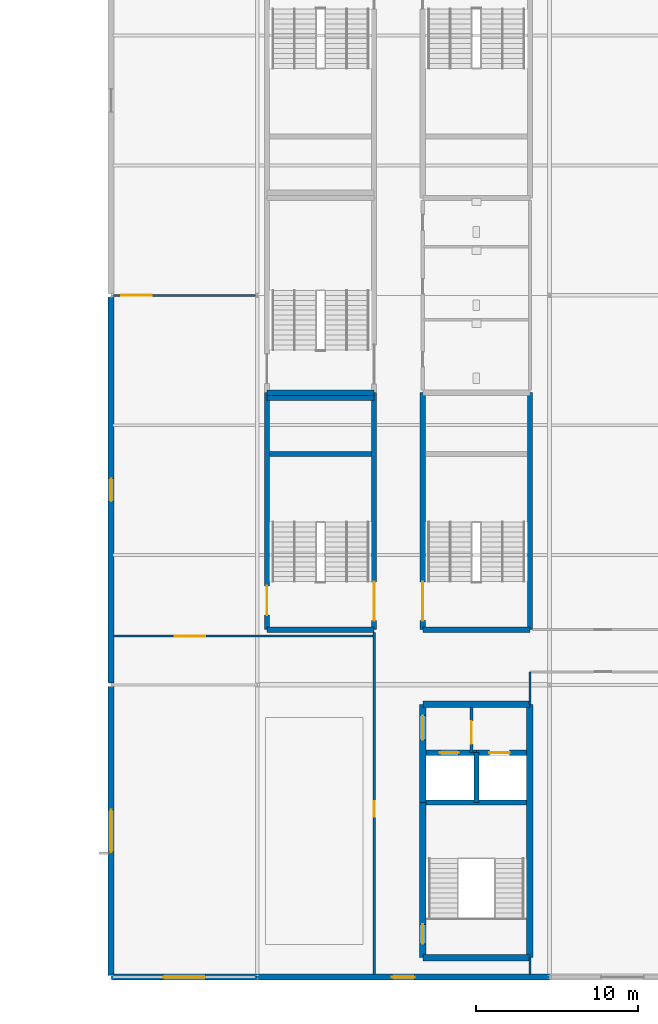
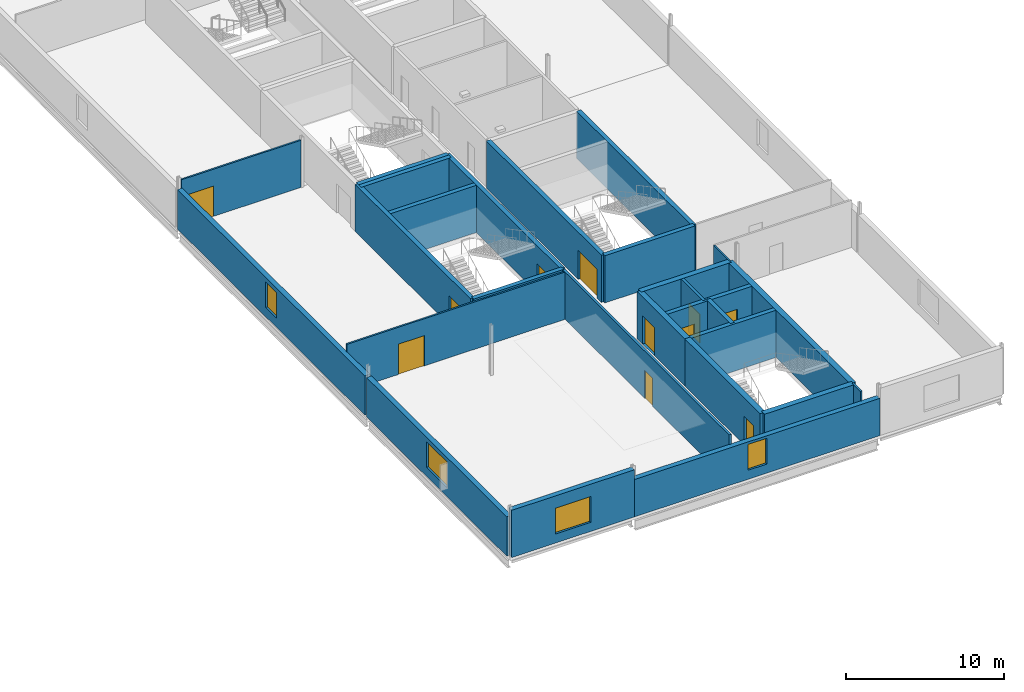
# One storey, part 22 of 35: 28 walls, 11 doors, 4 windows, 15 openings.
"""IFC4 building model written with IfcOpenShell, lengths in metres."""

from ifc_helpers import new_model, si_unit, direction, frame, frame_2d, origin, place, context, subcontext, project, spatial, rectangle, extrude, material, layer, layer_set, type_object, element, fill, save


model = new_model("IFC4")

# Units and contexts
model_context = context("Model", 3, precision=1e-05, world=origin(), true_north=direction((0.0, 1.0)))
body_context = subcontext(model_context, "Body", "Model", "MODEL_VIEW")
ifc_project = project(units=[si_unit("LENGTHUNIT", "METRE"), si_unit("AREAUNIT", "SQUARE_METRE"), si_unit("VOLUMEUNIT", "CUBIC_METRE"), si_unit("PLANEANGLEUNIT", "RADIAN"), si_unit("MASSUNIT", "GRAM", prefix="KILO")], contexts=[model_context])

# Site, building, storey
site_placement = place(None, origin())
site = spatial("IfcSite", under=ifc_project, at=site_placement, CompositionType="ELEMENT")
building_placement = place(site_placement, origin())
building = spatial("IfcBuilding", under=site, at=building_placement, Name="Kisiwana Market Hall", CompositionType="ELEMENT")
storey_placement = place(building_placement, frame((0.0, 0.0, 57.89990234375)))
storey = spatial("IfcBuildingStorey", under=building, at=storey_placement, Name="L13", CompositionType="ELEMENT", Elevation=57.89990234375)

# Wall, opening, door
ifc_material_1 = material(Name="Masonry blockwork", Category="masonry")
ifc_layer_1 = layer(ifc_material_1, 0.199951171875, Name="Plastered fire compartment block wall")
ifc_layer_set_1 = layer_set([ifc_layer_1], Name="WL-COMP-200")
wall_type_1 = type_object("IfcWallType", Name="WL-COMP-200", PredefinedType="PARTITIONING", material=ifc_layer_set_1)
wall_1_placement = place(storey_placement, frame((184.199951171875, 31.820068359375, 0.0), z_axis=(0.0, 0.0, 1.0), x_axis=(0.0, 1.0, 0.0)))
wall_1 = element("IfcWall", 1, at=wall_1_placement, inside=storey, type_object=wall_type_1, Name="Core E2 firefighting lobby wall W-3163", PredefinedType="PARTITIONING", context=body_context, shape_type="SweptSolid", body=[
    extrude(rectangle(XDim=2.780029296875, YDim=0.199951171875, at=frame_2d((1.39013671875, 0.0))), origin(), (0.0, 0.0, 1.0), 3.655029296875),
])
opening_1_placement = place(wall_1_placement, frame((0.550048828125, 0.0, 0.0)))
opening_1 = element("IfcOpeningElement", 2, at=opening_1_placement, cuts=wall_1, Name="Opening DR-L13-009", PredefinedType="OPENING", context=body_context, shape_type="SweptSolid", body=[
    extrude(rectangle(XDim=1.39990234375, YDim=2.25, at=frame_2d((0.699951171875, 1.125))), frame((0.0, 0.11181640625, 0.0), z_axis=(0.0, -1.0, 0.0), x_axis=(1.0, 0.0, 0.0)), (0.0, 0.0, 1.0), 0.223876953125),
])
ifc_material_2 = material(Name="Steel S275", Category="steel")
door_type_1 = type_object("IfcDoorType", Name="DR-FFLOB-FD120-1400", OperationType="DOUBLE_DOOR_SINGLE_SWING", PredefinedType="DOOR", material=ifc_material_2)
door_1_placement = place(opening_1_placement, origin())
door_1 = element("IfcDoor", 3, at=door_1_placement, inside=storey, type_object=door_type_1, Name="Firefighting Lift Lobby E2 Door (L13)", OperationType="DOUBLE_DOOR_SINGLE_SWING", OverallHeight=2.25, OverallWidth=1.39990234375, PredefinedType="DOOR", context=body_context, shape_type="SweptSolid", body=[
    extrude(rectangle(XDim=1.39990234375, YDim=2.25, at=frame_2d((0.699951171875, 1.125))), frame((0.0, 0.02490234375, 0.0), z_axis=(0.0, -1.0, 0.0), x_axis=(1.0, 0.0, 0.0)), (0.0, 0.0, 1.0), 0.050048828125),
])
fill(opening_1, door_1)

# Walls
ifc_material_3 = material(Name="Concrete C40/50", Category="concrete")
ifc_layer_2 = layer(ifc_material_3, 0.320068359375, Name="Reinforced concrete shaft wall")
ifc_layer_set_2 = layer_set([ifc_layer_2], Name="WL-CORE-320")
wall_type_2 = type_object("IfcWallType", Name="WL-CORE-320", PredefinedType="SHEAR", material=ifc_layer_set_2)
wall_2_placement = place(storey_placement, frame((181.39990234375, 28.760009765625, 0.0), z_axis=(0.0, 0.0, 1.0), x_axis=(1.0, 0.0, 0.0)))
element("IfcWall", 4, at=wall_2_placement, inside=storey, type_object=wall_type_2, Name="Core E2 shaft back shear wall W-3072", PredefinedType="SHEAR", context=body_context, shape_type="SweptSolid", body=[
    extrude(rectangle(XDim=6.2001953125, YDim=0.320068359375, at=frame_2d((3.10009765625, 0.0))), origin(), (0.0, 0.0, 1.0), 3.655029296875),
])
wall_3_placement = place(storey_placement, frame((184.5, 28.760009765625, 0.0), z_axis=(0.0, 0.0, 1.0), x_axis=(0.0, 1.0, 0.0)))
element("IfcWall", 5, at=wall_3_placement, inside=storey, type_object=wall_type_2, Name="Core E2 inter-shaft shear wall W-3073", PredefinedType="SHEAR", context=body_context, shape_type="SweptSolid", body=[
    extrude(rectangle(XDim=3.06005859375, YDim=0.320068359375, at=frame_2d((1.530029296875, 0.0))), origin(), (0.0, 0.0, 1.0), 3.655029296875),
])

# Wall, opening, door
wall_4_placement = place(storey_placement, frame((181.39990234375, 31.820068359375, 0.0), z_axis=(0.0, 0.0, 1.0), x_axis=(1.0, 0.0, 0.0)))
wall_4 = element("IfcWall", 6, at=wall_4_placement, inside=storey, type_object=wall_type_2, Name="Core E2 west lift front wall W-3074", PredefinedType="SHEAR", context=body_context, shape_type="SweptSolid", body=[
    extrude(rectangle(XDim=3.10009765625, YDim=0.320068359375, at=frame_2d((1.550048828125, 0.0))), origin(), (0.0, 0.0, 1.0), 3.655029296875),
])
opening_2_placement = place(wall_4_placement, frame((0.85009765625, 0.0, 0.0)))
opening_2 = element("IfcOpeningElement", 7, at=opening_2_placement, cuts=wall_4, Name="Opening LD-L13-005", PredefinedType="OPENING", context=body_context, shape_type="SweptSolid", body=[
    extrude(rectangle(XDim=1.14990234375, YDim=2.199951171875, at=frame_2d((0.574951171875, 1.10009765625))), frame((0.0, 0.171875, 0.0), z_axis=(0.0, -1.0, 0.0), x_axis=(1.0, 0.0, 0.0)), (0.0, 0.0, 1.0), 0.343994140625),
])
ifc_material_4 = material(Name="Steel S275", Category="steel")
door_type_2 = type_object("IfcDoorType", Name="DR-LIFT-PAX-1150", OperationType="DOUBLE_DOOR_SLIDING", PredefinedType="DOOR", material=ifc_material_4)
door_2_placement = place(opening_2_placement, origin())
door_2 = element("IfcDoor", 8, at=door_2_placement, inside=storey, type_object=door_type_2, Name="Lift Landing Door LP-03 (L13)", OperationType="DOUBLE_DOOR_SLIDING", OverallHeight=2.199951171875, OverallWidth=1.14990234375, PredefinedType="DOOR", context=body_context, shape_type="SweptSolid", body=[
    extrude(rectangle(XDim=1.14990234375, YDim=2.199951171875, at=frame_2d((0.574951171875, 1.10009765625))), frame((0.0, 0.02490234375, 0.0), z_axis=(0.0, -1.0, 0.0), x_axis=(1.0, 0.0, 0.0)), (0.0, 0.0, 1.0), 0.050048828125),
])
fill(opening_2, door_2)

wall_5_placement = place(storey_placement, frame((184.5, 31.820068359375, 0.0), z_axis=(0.0, 0.0, 1.0), x_axis=(1.0, 0.0, 0.0)))
wall_5 = element("IfcWall", 9, at=wall_5_placement, inside=storey, type_object=wall_type_2, Name="Core E2 east lift front wall W-3075", PredefinedType="SHEAR", context=body_context, shape_type="SweptSolid", body=[
    extrude(rectangle(XDim=3.10009765625, YDim=0.320068359375, at=frame_2d((1.550048828125, 0.0))), origin(), (0.0, 0.0, 1.0), 3.655029296875),
])
opening_3_placement = place(wall_5_placement, frame((0.800048828125, 0.0, 0.0)))
opening_3 = element("IfcOpeningElement", 10, at=opening_3_placement, cuts=wall_5, Name="Opening LD-L13-006", PredefinedType="OPENING", context=body_context, shape_type="SweptSolid", body=[
    extrude(rectangle(XDim=1.25, YDim=2.25, at=frame_2d((0.625, 1.125))), frame((0.0, 0.171875, 0.0), z_axis=(0.0, -1.0, 0.0), x_axis=(1.0, 0.0, 0.0)), (0.0, 0.0, 1.0), 0.343994140625),
])
ifc_material_5 = material(Name="Steel S275", Category="steel")
door_type_3 = type_object("IfcDoorType", Name="DR-LIFT-FFL-1250", OperationType="DOUBLE_DOOR_SLIDING", PredefinedType="DOOR", material=ifc_material_5)
door_3_placement = place(opening_3_placement, origin())
door_3 = element("IfcDoor", 11, at=door_3_placement, inside=storey, type_object=door_type_3, Name="Lift Landing Door FFL-03 (L13)", OperationType="DOUBLE_DOOR_SLIDING", OverallHeight=2.25, OverallWidth=1.25, PredefinedType="DOOR", context=body_context, shape_type="SweptSolid", body=[
    extrude(rectangle(XDim=1.25, YDim=2.25, at=frame_2d((0.625, 1.125))), frame((0.0, 0.02490234375, 0.0), z_axis=(0.0, -1.0, 0.0), x_axis=(1.0, 0.0, 0.0)), (0.0, 0.0, 1.0), 0.050048828125),
])
fill(opening_3, door_3)

# Wall
wall_6_placement = place(storey_placement, frame((181.199951171875, 39.39990234375, 0.0), z_axis=(0.0, 0.0, 1.0), x_axis=(1.0, 0.0, 0.0)))
element("IfcWall", 12, at=wall_6_placement, inside=storey, type_object=wall_type_2, Name="Core E3 south shear wall W-3095", PredefinedType="SHEAR", context=body_context, shape_type="SweptSolid", body=[
    extrude(rectangle(XDim=6.60009765625, YDim=0.320068359375, at=frame_2d((3.300048828125, 0.0))), origin(), (0.0, 0.0, 1.0), 3.655029296875),
])

# Wall, opening, door
wall_7_placement = place(storey_placement, frame((181.199951171875, 39.39990234375, 0.0), z_axis=(0.0, 0.0, 1.0), x_axis=(0.0, 1.0, 0.0)))
wall_7 = element("IfcWall", 13, at=wall_7_placement, inside=storey, type_object=wall_type_2, Name="Core E3 corridor shear wall W-3097", PredefinedType="SHEAR", context=body_context, shape_type="SweptSolid", body=[
    extrude(rectangle(XDim=14.60009765625, YDim=0.320068359375, at=frame_2d((7.300048828125, 0.0))), origin(), (0.0, 0.0, 1.0), 3.655029296875),
])
opening_4_placement = place(wall_7_placement, frame((0.550048828125, 0.0, 0.0)))
opening_4 = element("IfcOpeningElement", 14, at=opening_4_placement, cuts=wall_7, Name="Opening DR-L13-015", PredefinedType="OPENING", context=body_context, shape_type="SweptSolid", body=[
    extrude(rectangle(XDim=2.39990234375, YDim=2.25, at=frame_2d((1.199951171875, 1.125))), frame((0.0, 0.171875, 0.0), z_axis=(0.0, -1.0, 0.0), x_axis=(1.0, 0.0, 0.0)), (0.0, 0.0, 1.0), 0.343994140625),
])
ifc_material_6 = material(Name="Steel S275", Category="steel")
door_type_4 = type_object("IfcDoorType", Name="DR-STAIR-FD120-2400", OperationType="DOUBLE_DOOR_SINGLE_SWING", PredefinedType="DOOR", material=ifc_material_6)
door_4_placement = place(opening_4_placement, frame((2.39990234375, 0.0, 0.0), z_axis=(0.0, 0.0, 1.0), x_axis=(-1.0, 0.0, 0.0)))
door_4 = element("IfcDoor", 15, at=door_4_placement, inside=storey, type_object=door_type_4, Name="Escape Stair E3 Fire Door (L13)", OperationType="DOUBLE_DOOR_SINGLE_SWING", OverallHeight=2.25, OverallWidth=2.39990234375, PredefinedType="DOOR", context=body_context, shape_type="SweptSolid", body=[
    extrude(rectangle(XDim=2.39990234375, YDim=2.25, at=frame_2d((1.199951171875, 1.125))), frame((0.0, 0.02490234375, 0.0), z_axis=(0.0, -1.0, 0.0), x_axis=(1.0, 0.0, 0.0)), (0.0, 0.0, 1.0), 0.050048828125),
])
fill(opening_4, door_4)

# Walls
wall_8_placement = place(storey_placement, frame((187.800048828125, 39.39990234375, 0.0), z_axis=(0.0, 0.0, 1.0), x_axis=(0.0, 1.0, 0.0)))
element("IfcWall", 16, at=wall_8_placement, inside=storey, type_object=wall_type_2, Name="Core E3 outer shear wall W-3098", PredefinedType="SHEAR", context=body_context, shape_type="SweptSolid", body=[
    extrude(rectangle(XDim=14.60009765625, YDim=0.320068359375, at=frame_2d((7.300048828125, 0.0))), origin(), (0.0, 0.0, 1.0), 3.655029296875),
])
for number, where, z_axis, x_axis, name in (
    (17, (171.60009765625, 39.39990234375, 0.0), (0.0, 0.0, 1.0), (1.0, 0.0, 0.0), "Core E7 south shear wall W-3110"),
    (18, (171.60009765625, 54.0, 0.0), (0.0, 0.0, 1.0), (1.0, 0.0, 0.0), "Core E7 north shear wall W-3111"),
):
    element("IfcWall", number, at=place(storey_placement, frame(where, z_axis=z_axis, x_axis=x_axis)), inside=storey, type_object=wall_type_2, Name=name, PredefinedType="SHEAR", context=body_context, shape_type="SweptSolid", body=[
        extrude(rectangle(XDim=6.599853515625, YDim=0.320068359375, at=frame_2d((3.2998046875, 0.0))), origin(), (0.0, 0.0, 1.0), 3.655029296875),
    ])

# Wall, opening, door
wall_9_placement = place(storey_placement, frame((171.60009765625, 39.39990234375, 0.0), z_axis=(0.0, 0.0, 1.0), x_axis=(0.0, 1.0, 0.0)))
wall_9 = element("IfcWall", 19, at=wall_9_placement, inside=storey, type_object=wall_type_2, Name="Core E7 outer shear wall W-3112", PredefinedType="SHEAR", context=body_context, shape_type="SweptSolid", body=[
    extrude(rectangle(XDim=14.60009765625, YDim=0.320068359375, at=frame_2d((7.300048828125, 0.0))), origin(), (0.0, 0.0, 1.0), 3.655029296875),
])
opening_5_placement = place(wall_9_placement, frame((0.89990234375, 0.0, 0.0)))
opening_5 = element("IfcOpeningElement", 20, at=opening_5_placement, cuts=wall_9, Name="Opening DR-L13-020", PredefinedType="OPENING", context=body_context, shape_type="SweptSolid", body=[
    extrude(rectangle(XDim=1.800048828125, YDim=2.25, at=frame_2d((0.89990234375, 1.125))), frame((0.0, 0.171875, 0.0), z_axis=(0.0, -1.0, 0.0), x_axis=(1.0, 0.0, 0.0)), (0.0, 0.0, 1.0), 0.343994140625),
])
ifc_material_7 = material(Name="Steel S275", Category="steel")
door_type_5 = type_object("IfcDoorType", Name="DR-STAIR-FD120-1800", OperationType="DOUBLE_DOOR_SINGLE_SWING", PredefinedType="DOOR", material=ifc_material_7)
door_5_placement = place(opening_5_placement, frame((1.800048828125, 0.0, 0.0), z_axis=(0.0, 0.0, 1.0), x_axis=(-1.0, 0.0, 0.0)))
door_5 = element("IfcDoor", 21, at=door_5_placement, inside=storey, type_object=door_type_5, Name="Escape Stair E7 Room Door (L13)", OperationType="DOUBLE_DOOR_SINGLE_SWING", OverallHeight=2.25, OverallWidth=1.800048828125, PredefinedType="DOOR", context=body_context, shape_type="SweptSolid", body=[
    extrude(rectangle(XDim=1.800048828125, YDim=2.25, at=frame_2d((0.89990234375, 1.125))), frame((0.0, 0.02490234375, 0.0), z_axis=(0.0, -1.0, 0.0), x_axis=(1.0, 0.0, 0.0)), (0.0, 0.0, 1.0), 0.050048828125),
])
fill(opening_5, door_5)

wall_10_placement = place(storey_placement, frame((178.199951171875, 39.39990234375, 0.0), z_axis=(0.0, 0.0, 1.0), x_axis=(0.0, 1.0, 0.0)))
wall_10 = element("IfcWall", 22, at=wall_10_placement, inside=storey, type_object=wall_type_2, Name="Core E7 corridor shear wall W-3113", PredefinedType="SHEAR", context=body_context, shape_type="SweptSolid", body=[
    extrude(rectangle(XDim=14.60009765625, YDim=0.320068359375, at=frame_2d((7.300048828125, 0.0))), origin(), (0.0, 0.0, 1.0), 3.655029296875),
])
opening_6_placement = place(wall_10_placement, frame((0.550048828125, 0.0, 0.0)))
opening_6 = element("IfcOpeningElement", 23, at=opening_6_placement, cuts=wall_10, Name="Opening DR-L13-019", PredefinedType="OPENING", context=body_context, shape_type="SweptSolid", body=[
    extrude(rectangle(XDim=2.39990234375, YDim=2.25, at=frame_2d((1.199951171875, 1.125))), frame((0.0, 0.171875, 0.0), z_axis=(0.0, -1.0, 0.0), x_axis=(1.0, 0.0, 0.0)), (0.0, 0.0, 1.0), 0.343994140625),
])
door_6_placement = place(opening_6_placement, origin())
door_6 = element("IfcDoor", 24, at=door_6_placement, inside=storey, type_object=door_type_4, Name="Escape Stair E7 Fire Door (L13)", OperationType="DOUBLE_DOOR_SINGLE_SWING", OverallHeight=2.25, OverallWidth=2.39990234375, PredefinedType="DOOR", context=body_context, shape_type="SweptSolid", body=[
    extrude(rectangle(XDim=2.39990234375, YDim=2.25, at=frame_2d((1.199951171875, 1.125))), frame((0.0, 0.02490234375, 0.0), z_axis=(0.0, -1.0, 0.0), x_axis=(1.0, 0.0, 0.0)), (0.0, 0.0, 1.0), 0.050048828125),
])
fill(opening_6, door_6)

# Walls
wall_11_placement = place(storey_placement, frame((171.760009765625, 50.219970703125, 0.0), z_axis=(0.0, 0.0, 1.0), x_axis=(1.0, 0.0, 0.0)))
element("IfcWall", 25, at=wall_11_placement, inside=storey, type_object=wall_type_2, Name="Core E7 riser divider shear wall W-3114", PredefinedType="SHEAR", context=body_context, shape_type="SweptSolid", body=[
    extrude(rectangle(XDim=6.280029296875, YDim=0.320068359375, at=frame_2d((3.14013671875, 0.0))), origin(), (0.0, 0.0, 1.0), 3.655029296875),
])
wall_12_placement = place(storey_placement, frame((171.60009765625, 53.679931640625, 0.0), z_axis=(0.0, 0.0, 1.0), x_axis=(1.0, 0.0, 0.0)))
element("IfcWall", 26, at=wall_12_placement, inside=storey, type_object=wall_type_2, Name="Core E5 south shear wall W-3129", PredefinedType="SHEAR", context=body_context, shape_type="SweptSolid", body=[
    extrude(rectangle(XDim=6.599853515625, YDim=0.320068359375, at=frame_2d((3.2998046875, 0.0))), origin(), (0.0, 0.0, 1.0), 3.655029296875),
])
ifc_material_8 = material(Name="Concrete C40/50", Category="concrete")
ifc_layer_3 = layer(ifc_material_8, 0.39990234375, Name="Reinforced concrete core wall")
ifc_layer_set_3 = layer_set([ifc_layer_3], Name="WL-CORE-400")
wall_type_3 = type_object("IfcWallType", Name="WL-CORE-400", PredefinedType="SHEAR", material=ifc_layer_set_3)
for number, where, z_axis, x_axis, name in (
    (27, (181.199951171875, 19.199951171875, 0.0), (0.0, 0.0, 1.0), (1.0, 0.0, 0.0), "Core E2 south shear wall W-3067"),
    (28, (181.199951171875, 34.800048828125, 0.0), (0.0, 0.0, 1.0), (1.0, 0.0, 0.0), "Core E2 north shear wall W-3068"),
):
    element("IfcWall", number, at=place(storey_placement, frame(where, z_axis=z_axis, x_axis=x_axis)), inside=storey, type_object=wall_type_3, Name=name, PredefinedType="SHEAR", context=body_context, shape_type="SweptSolid", body=[
        extrude(rectangle(XDim=6.60009765625, YDim=0.39990234375, at=frame_2d((3.300048828125, 0.0))), origin(), (0.0, 0.0, 1.0), 3.655029296875),
    ])
wall_13_placement = place(storey_placement, frame((187.800048828125, 19.199951171875, 0.0), z_axis=(0.0, 0.0, 1.0), x_axis=(0.0, 1.0, 0.0)))
element("IfcWall", 29, at=wall_13_placement, inside=storey, type_object=wall_type_3, Name="Core E2 outer shear wall W-3069", PredefinedType="SHEAR", context=body_context, shape_type="SweptSolid", body=[
    extrude(rectangle(XDim=15.60009765625, YDim=0.39990234375, at=frame_2d((7.800048828125, 0.0))), origin(), (0.0, 0.0, 1.0), 3.655029296875),
])

# Wall, opening, door
wall_14_placement = place(storey_placement, frame((181.199951171875, 19.199951171875, 0.0), z_axis=(0.0, 0.0, 1.0), x_axis=(0.0, 1.0, 0.0)))
wall_14 = element("IfcWall", 30, at=wall_14_placement, inside=storey, type_object=wall_type_3, Name="Core E2 stair corridor shear wall W-3070", PredefinedType="SHEAR", context=body_context, shape_type="SweptSolid", body=[
    extrude(rectangle(XDim=9.56005859375, YDim=0.39990234375, at=frame_2d((4.780029296875, 0.0))), origin(), (0.0, 0.0, 1.0), 3.655029296875),
])
opening_7_placement = place(wall_14_placement, frame((0.85009765625, 0.0, 0.0)))
opening_7 = element("IfcOpeningElement", 31, at=opening_7_placement, cuts=wall_14, Name="Opening DR-L13-007", PredefinedType="OPENING", context=body_context, shape_type="SweptSolid", body=[
    extrude(rectangle(XDim=1.199951171875, YDim=2.199951171875, at=frame_2d((0.60009765625, 1.10009765625))), frame((0.0, 0.2119140625, 0.0), z_axis=(0.0, -1.0, 0.0), x_axis=(1.0, 0.0, 0.0)), (0.0, 0.0, 1.0), 0.423828125),
])
ifc_material_9 = material(Name="Steel S275", Category="steel")
door_type_6 = type_object("IfcDoorType", Name="DR-STAIR-FD120-1200", OperationType="NOTDEFINED", PredefinedType="DOOR", material=ifc_material_9)
door_7_placement = place(opening_7_placement, frame((1.199951171875, 0.0, 0.0), z_axis=(0.0, 0.0, 1.0), x_axis=(-1.0, 0.0, 0.0)))
door_7 = element("IfcDoor", 32, at=door_7_placement, inside=storey, type_object=door_type_6, Name="Escape Stair E2 Fire Door (L13)", OperationType="SINGLE_SWING_RIGHT", OverallHeight=2.199951171875, OverallWidth=1.199951171875, PredefinedType="DOOR", context=body_context, shape_type="SweptSolid", body=[
    extrude(rectangle(XDim=1.199951171875, YDim=2.199951171875, at=frame_2d((0.60009765625, 1.10009765625))), frame((0.0, 0.02490234375, 0.0), z_axis=(0.0, -1.0, 0.0), x_axis=(1.0, 0.0, 0.0)), (0.0, 0.0, 1.0), 0.050048828125),
])
fill(opening_7, door_7)

wall_15_placement = place(storey_placement, frame((181.199951171875, 28.760009765625, 0.0), z_axis=(0.0, 0.0, 1.0), x_axis=(0.0, 1.0, 0.0)))
wall_15 = element("IfcWall", 33, at=wall_15_placement, inside=storey, type_object=wall_type_3, Name="Core E2 lobby corridor shear wall W-3071", PredefinedType="SHEAR", context=body_context, shape_type="SweptSolid", body=[
    extrude(rectangle(XDim=6.0400390625, YDim=0.39990234375, at=frame_2d((3.02001953125, 0.0))), origin(), (0.0, 0.0, 1.0), 3.655029296875),
])
opening_8_placement = place(wall_15_placement, frame((3.85009765625, 0.0, 0.0)))
opening_8 = element("IfcOpeningElement", 34, at=opening_8_placement, cuts=wall_15, Name="Opening DR-L13-008", PredefinedType="OPENING", context=body_context, shape_type="SweptSolid", body=[
    extrude(rectangle(XDim=1.5, YDim=2.199951171875, at=frame_2d((0.75, 1.10009765625))), frame((0.0, 0.2119140625, 0.0), z_axis=(0.0, -1.0, 0.0), x_axis=(1.0, 0.0, 0.0)), (0.0, 0.0, 1.0), 0.423828125),
])
ifc_material_10 = material(Name="Steel S275", Category="steel")
door_type_7 = type_object("IfcDoorType", Name="DR-CORR-FD60-1500", OperationType="DOUBLE_DOOR_SINGLE_SWING", PredefinedType="DOOR", material=ifc_material_10)
door_8_placement = place(opening_8_placement, origin())
door_8 = element("IfcDoor", 35, at=door_8_placement, inside=storey, type_object=door_type_7, Name="Passenger Lift Lobby E2 Smoke Door (L13)", OperationType="DOUBLE_DOOR_SINGLE_SWING", OverallHeight=2.199951171875, OverallWidth=1.5, PredefinedType="DOOR", context=body_context, shape_type="SweptSolid", body=[
    extrude(rectangle(XDim=1.5, YDim=2.199951171875, at=frame_2d((0.75, 1.10009765625))), frame((0.0, 0.02490234375, 0.0), z_axis=(0.0, -1.0, 0.0), x_axis=(1.0, 0.0, 0.0)), (0.0, 0.0, 1.0), 0.050048828125),
])
fill(opening_8, door_8)

ifc_material_11 = material(Name="Masonry blockwork", Category="masonry")
ifc_layer_4 = layer(ifc_material_11, 0.169921875, Name="Protected corridor partition")
ifc_layer_set_4 = layer_set([ifc_layer_4], Name="WL-CORR-170")
wall_type_4 = type_object("IfcWallType", Name="WL-CORR-170", PredefinedType="PARTITIONING", material=ifc_layer_set_4)
wall_16_placement = place(storey_placement, frame((178.199951171875, 18.157470703125, 0.0), z_axis=(0.0, 0.0, 1.0), x_axis=(0.0, 1.0, 0.0)))
wall_16 = element("IfcWall", 36, at=wall_16_placement, inside=storey, type_object=wall_type_4, Name="Interior partition W-3197", PredefinedType="PARTITIONING", context=body_context, shape_type="SweptSolid", body=[
    extrude(rectangle(XDim=21.08251953125, YDim=0.169921875, at=frame_2d((10.541259765625, 0.0))), origin(), (0.0, 0.0, 1.0), 3.655029296875),
])
opening_9_placement = place(wall_16_placement, frame((9.702880859375, 0.0, 0.0)))
opening_9 = element("IfcOpeningElement", 37, at=opening_9_placement, cuts=wall_16, Name="Opening DR-L13-047", PredefinedType="OPENING", context=body_context, shape_type="SweptSolid", body=[
    extrude(rectangle(XDim=0.97998046875, YDim=2.14990234375, at=frame_2d((0.489990234375, 1.074951171875))), frame((0.0, 0.096923828125, 0.0), z_axis=(0.0, -1.0, 0.0), x_axis=(1.0, 0.0, 0.0)), (0.0, 0.0, 1.0), 0.19384765625),
])
ifc_material_12 = material(Name="Hardwood timber", Category="wood")
door_type_8 = type_object("IfcDoorType", Name="DR-STOR-FD60-0980", OperationType="NOTDEFINED", PredefinedType="DOOR", material=ifc_material_12)
door_9_placement = place(opening_9_placement, origin())
door_9 = element("IfcDoor", 38, at=door_9_placement, inside=storey, type_object=door_type_8, Name="L13 E Executive Office C1 Door", OperationType="SINGLE_SWING_LEFT", OverallHeight=2.14990234375, OverallWidth=0.97998046875, PredefinedType="DOOR", context=body_context, shape_type="SweptSolid", body=[
    extrude(rectangle(XDim=0.97998046875, YDim=2.14990234375, at=frame_2d((0.489990234375, 1.074951171875))), frame((0.0, 0.02490234375, 0.0), z_axis=(0.0, -1.0, 0.0), x_axis=(1.0, 0.0, 0.0)), (0.0, 0.0, 1.0), 0.050048828125),
])
fill(opening_9, door_9)

# Wall, opening, window
ifc_material_13 = material(Name="Concrete C40/50 precast", Category="concrete")
ifc_layer_5 = layer(ifc_material_13, 0.364990234375)
ifc_layer_set_5 = layer_set([ifc_layer_5], Name="WL-EXT-365")
wall_type_5 = type_object("IfcWallType", Name="WL-EXT-365", PredefinedType="STANDARD", material=ifc_layer_set_5)
wall_17_placement = place(storey_placement, frame((162.010009765625, 18.0, 0.0), z_axis=(0.0, 0.0, 1.0), x_axis=(1.0, 0.0, 0.0)))
wall_17 = element("IfcWall", 39, at=wall_17_placement, inside=storey, type_object=wall_type_5, Name="Exterior wall W-3136", PredefinedType="STANDARD", context=body_context, shape_type="SweptSolid", body=[
    extrude(rectangle(XDim=8.97998046875, YDim=0.364990234375, at=frame_2d((4.489990234375, 0.0))), origin(), (0.0, 0.0, 1.0), 3.655029296875),
])
opening_10_placement = place(wall_17_placement, frame((3.18994140625, 0.0, 0.699951171875)))
opening_10 = element("IfcOpeningElement", 40, at=opening_10_placement, cuts=wall_17, Name="Opening WN-13", PredefinedType="OPENING", context=body_context, shape_type="SweptSolid", body=[
    extrude(rectangle(XDim=2.60009765625, YDim=2.0, at=frame_2d((1.300048828125, 1.0))), frame((0.0, 0.1943359375, 0.0), z_axis=(0.0, -1.0, 0.0), x_axis=(1.0, 0.0, 0.0)), (0.0, 0.0, 1.0), 0.388916015625),
])
ifc_material_14 = material(Name="Double-glazed solar-control low-E IGU", Category="glass")
window_type_1 = type_object("IfcWindowType", Name="WN-OFFC-2600x2000", PartitioningType="SINGLE_PANEL", PredefinedType="WINDOW", material=ifc_material_14)
window_1_placement = place(opening_10_placement, origin())
window_1 = element("IfcWindow", 41, at=window_1_placement, inside=storey, type_object=window_type_1, Name="Exterior window WN-368", OverallHeight=2.0, OverallWidth=2.60009765625, PartitioningType="SINGLE_PANEL", PredefinedType="WINDOW", context=body_context, shape_type="SweptSolid", body=[
    extrude(rectangle(XDim=2.60009765625, YDim=2.0, at=frame_2d((1.300048828125, 1.0))), frame((0.0, 0.030029296875, 0.0), z_axis=(0.0, -1.0, 0.0), x_axis=(1.0, 0.0, 0.0)), (0.0, 0.0, 1.0), 0.06005859375),
])
fill(opening_10, window_1)

wall_18_placement = place(storey_placement, frame((171.010009765625, 18.0, 0.0), z_axis=(0.0, 0.0, 1.0), x_axis=(1.0, 0.0, 0.0)))
wall_18 = element("IfcWall", 42, at=wall_18_placement, inside=storey, type_object=wall_type_5, Name="Exterior wall W-3137", PredefinedType="STANDARD", context=body_context, shape_type="SweptSolid", body=[
    extrude(rectangle(XDim=17.97998046875, YDim=0.364990234375, at=frame_2d((8.989990234375, 0.0))), origin(), (0.0, 0.0, 1.0), 2.892822265625),
])
opening_11_placement = place(wall_18_placement, frame((8.2900390625, 0.0, 0.699951171875)))
opening_11 = element("IfcOpeningElement", 43, at=opening_11_placement, cuts=wall_18, Name="Opening WN-05", PredefinedType="OPENING", context=body_context, shape_type="SweptSolid", body=[
    extrude(rectangle(XDim=1.39990234375, YDim=2.0, at=frame_2d((0.699951171875, 1.0))), frame((0.0, 0.1943359375, 0.0), z_axis=(0.0, -1.0, 0.0), x_axis=(1.0, 0.0, 0.0)), (0.0, 0.0, 1.0), 0.388916015625),
])
ifc_material_15 = material(Name="Double-glazed solar-control low-E IGU", Category="glass")
window_type_2 = type_object("IfcWindowType", Name="WN-OFFC-1400x2000", PartitioningType="SINGLE_PANEL", PredefinedType="WINDOW", material=ifc_material_15)
window_2_placement = place(opening_11_placement, origin())
window_2 = element("IfcWindow", 44, at=window_2_placement, inside=storey, type_object=window_type_2, Name="Exterior window WN-355", OverallHeight=2.0, OverallWidth=1.39990234375, PartitioningType="SINGLE_PANEL", PredefinedType="WINDOW", context=body_context, shape_type="SweptSolid", body=[
    extrude(rectangle(XDim=1.39990234375, YDim=2.0, at=frame_2d((0.699951171875, 1.0))), frame((0.0, 0.030029296875, 0.0), z_axis=(0.0, -1.0, 0.0), x_axis=(1.0, 0.0, 0.0)), (0.0, 0.0, 1.0), 0.06005859375),
])
fill(opening_11, window_2)

wall_19_placement = place(storey_placement, frame((162.0, 18.107666015625, 0.0), z_axis=(0.0, 0.0, 1.0), x_axis=(0.0, 1.0, 0.0)))
wall_19 = element("IfcWall", 45, at=wall_19_placement, inside=storey, type_object=wall_type_5, Name="Exterior wall W-3153", PredefinedType="STANDARD", context=body_context, shape_type="SweptSolid", body=[
    extrude(rectangle(XDim=17.78466796875, YDim=0.364990234375, at=frame_2d((8.892333984375, 0.0))), origin(), (0.0, 0.0, 1.0), 3.04296875),
])
opening_12_placement = place(wall_19_placement, frame((7.59228515625, 0.0, 0.699951171875)))
opening_12 = element("IfcOpeningElement", 46, at=opening_12_placement, cuts=wall_19, Name="Opening WN-13", PredefinedType="OPENING", context=body_context, shape_type="SweptSolid", body=[
    extrude(rectangle(XDim=2.60009765625, YDim=2.0, at=frame_2d((1.300048828125, 1.0))), frame((0.0, 0.1943359375, 0.0), z_axis=(0.0, -1.0, 0.0), x_axis=(1.0, 0.0, 0.0)), (0.0, 0.0, 1.0), 0.388916015625),
])
window_3_placement = place(opening_12_placement, origin())
window_3 = element("IfcWindow", 47, at=window_3_placement, inside=storey, type_object=window_type_1, Name="Exterior window WN-378", OverallHeight=2.0, OverallWidth=2.60009765625, PartitioningType="SINGLE_PANEL", PredefinedType="WINDOW", context=body_context, shape_type="SweptSolid", body=[
    extrude(rectangle(XDim=2.60009765625, YDim=2.0, at=frame_2d((1.300048828125, 1.0))), frame((0.0, 0.030029296875, 0.0), z_axis=(0.0, -1.0, 0.0), x_axis=(1.0, 0.0, 0.0)), (0.0, 0.0, 1.0), 0.06005859375),
])
fill(opening_12, window_3)

wall_20_placement = place(storey_placement, frame((162.0, 36.107666015625, 0.0), z_axis=(0.0, 0.0, 1.0), x_axis=(0.0, 1.0, 0.0)))
wall_20 = element("IfcWall", 48, at=wall_20_placement, inside=storey, type_object=wall_type_5, Name="Exterior wall W-3154", PredefinedType="STANDARD", context=body_context, shape_type="SweptSolid", body=[
    extrude(rectangle(XDim=23.78466796875, YDim=0.364990234375, at=frame_2d((11.892333984375, 0.0))), origin(), (0.0, 0.0, 1.0), 3.04296875),
])
opening_13_placement = place(wall_20_placement, frame((11.1923828125, 0.0, 0.699951171875)))
opening_13 = element("IfcOpeningElement", 49, at=opening_13_placement, cuts=wall_20, Name="Opening WN-05", PredefinedType="OPENING", context=body_context, shape_type="SweptSolid", body=[
    extrude(rectangle(XDim=1.39990234375, YDim=2.0, at=frame_2d((0.699951171875, 1.0))), frame((0.0, 0.1943359375, 0.0), z_axis=(0.0, -1.0, 0.0), x_axis=(1.0, 0.0, 0.0)), (0.0, 0.0, 1.0), 0.388916015625),
])
window_4_placement = place(opening_13_placement, origin())
window_4 = element("IfcWindow", 50, at=window_4_placement, inside=storey, type_object=window_type_2, Name="Exterior window WN-362", OverallHeight=2.0, OverallWidth=1.39990234375, PartitioningType="SINGLE_PANEL", PredefinedType="WINDOW", context=body_context, shape_type="SweptSolid", body=[
    extrude(rectangle(XDim=1.39990234375, YDim=2.0, at=frame_2d((0.699951171875, 1.0))), frame((0.0, 0.030029296875, 0.0), z_axis=(0.0, -1.0, 0.0), x_axis=(1.0, 0.0, 0.0)), (0.0, 0.0, 1.0), 0.06005859375),
])
fill(opening_13, window_4)

# Walls
ifc_material_16 = material(Name="Gypsum plasterboard")
ifc_layer_6 = layer(ifc_material_16, 0.125, Name="Double gypsum board + acoustic stud")
ifc_layer_set_6 = layer_set([ifc_layer_6], Name="WL-OFF-125")
wall_type_6 = type_object("IfcWallType", Name="WL-OFF-125", PredefinedType="PARTITIONING", material=ifc_layer_set_6)
wall_21_placement = place(storey_placement, frame((187.800048828125, 34.800048828125, 0.0), z_axis=(0.0, 0.0, 1.0), x_axis=(0.0, 1.0, 0.0)))
element("IfcWall", 51, at=wall_21_placement, inside=storey, type_object=wall_type_6, Name="Interior partition W-3186", PredefinedType="PARTITIONING", context=body_context, shape_type="SweptSolid", body=[
    extrude(rectangle(XDim=2.0, YDim=0.125, at=frame_2d((1.0, 0.0))), origin(), (0.0, 0.0, 1.0), 3.655029296875),
])
wall_22_placement = place(storey_placement, frame((187.800048828125, 18.157470703125, 0.0), z_axis=(0.0, 0.0, 1.0), x_axis=(0.0, 1.0, 0.0)))
element("IfcWall", 52, at=wall_22_placement, inside=storey, type_object=wall_type_6, Name="Interior partition W-3188", PredefinedType="PARTITIONING", context=body_context, shape_type="SweptSolid", body=[
    extrude(rectangle(XDim=1.04248046875, YDim=0.125, at=frame_2d((0.521240234375, 0.0))), origin(), (0.0, 0.0, 1.0), 3.655029296875),
])

# Wall, opening, door
wall_23_placement = place(storey_placement, frame((162.157470703125, 39.0, 0.0), z_axis=(0.0, 0.0, 1.0), x_axis=(1.0, 0.0, 0.0)))
wall_23 = element("IfcWall", 53, at=wall_23_placement, inside=storey, type_object=wall_type_6, Name="Interior partition W-3194", PredefinedType="PARTITIONING", context=body_context, shape_type="SweptSolid", body=[
    extrude(rectangle(XDim=15.95751953125, YDim=0.125, at=frame_2d((7.978759765625, 0.0))), origin(), (0.0, 0.0, 1.0), 3.655029296875),
])
opening_14_placement = place(wall_23_placement, frame((3.75, 0.0, 0.0)))
opening_14 = element("IfcOpeningElement", 54, at=opening_14_placement, cuts=wall_23, Name="Opening DR-L13-045", PredefinedType="OPENING", context=body_context, shape_type="SweptSolid", body=[
    extrude(rectangle(XDim=1.89990234375, YDim=2.35009765625, at=frame_2d((0.949951171875, 1.175048828125))), frame((0.0, 0.074462890625, 0.0), z_axis=(0.0, -1.0, 0.0), x_axis=(1.0, 0.0, 0.0)), (0.0, 0.0, 1.0), 0.14892578125),
])
ifc_material_17 = material(Name="Steel S275", Category="steel")
door_type_9 = type_object("IfcDoorType", Name="DR-HALL-1900", OperationType="DOUBLE_DOOR_SINGLE_SWING", PredefinedType="DOOR", material=ifc_material_17)
door_10_placement = place(opening_14_placement, origin())
door_10 = element("IfcDoor", 55, at=door_10_placement, inside=storey, type_object=door_type_9, Name="L13 E Director Boardroom C2 Exit Door", OperationType="DOUBLE_DOOR_SINGLE_SWING", OverallHeight=2.35009765625, OverallWidth=1.89990234375, PredefinedType="DOOR", context=body_context, shape_type="SweptSolid", body=[
    extrude(rectangle(XDim=1.89990234375, YDim=2.35009765625, at=frame_2d((0.949951171875, 1.175048828125))), frame((0.0, 0.02490234375, 0.0), z_axis=(0.0, -1.0, 0.0), x_axis=(1.0, 0.0, 0.0)), (0.0, 0.0, 1.0), 0.050048828125),
])
fill(opening_14, door_10)

wall_24_placement = place(storey_placement, frame((162.157470703125, 60.0, 0.0), z_axis=(0.0, 0.0, 1.0), x_axis=(1.0, 0.0, 0.0)))
wall_24 = element("IfcWall", 56, at=wall_24_placement, inside=storey, type_object=wall_type_6, Name="Interior partition W-3195", PredefinedType="PARTITIONING", context=body_context, shape_type="SweptSolid", body=[
    extrude(rectangle(XDim=8.7314453125, YDim=0.125, at=frame_2d((4.36572265625, 0.0))), origin(), (0.0, 0.0, 1.0), 3.655029296875),
])
opening_15_placement = place(wall_24_placement, frame((0.449951171875, 0.0, 0.0)))
opening_15 = element("IfcOpeningElement", 57, at=opening_15_placement, cuts=wall_24, Name="Opening DR-L13-046", PredefinedType="OPENING", context=body_context, shape_type="SweptSolid", body=[
    extrude(rectangle(XDim=1.89990234375, YDim=2.35009765625, at=frame_2d((0.949951171875, 1.175048828125))), frame((0.0, 0.074462890625, 0.0), z_axis=(0.0, -1.0, 0.0), x_axis=(1.0, 0.0, 0.0)), (0.0, 0.0, 1.0), 0.14892578125),
])
door_11_placement = place(opening_15_placement, origin())
door_11 = element("IfcDoor", 58, at=door_11_placement, inside=storey, type_object=door_type_9, Name="L13 E Director Boardroom C2 Exit Door", OperationType="DOUBLE_DOOR_SINGLE_SWING", OverallHeight=2.35009765625, OverallWidth=1.89990234375, PredefinedType="DOOR", context=body_context, shape_type="SweptSolid", body=[
    extrude(rectangle(XDim=1.89990234375, YDim=2.35009765625, at=frame_2d((0.949951171875, 1.175048828125))), frame((0.0, 0.02490234375, 0.0), z_axis=(0.0, -1.0, 0.0), x_axis=(1.0, 0.0, 0.0)), (0.0, 0.0, 1.0), 0.050048828125),
])
fill(opening_15, door_11)

save(model, "model.ifc")
